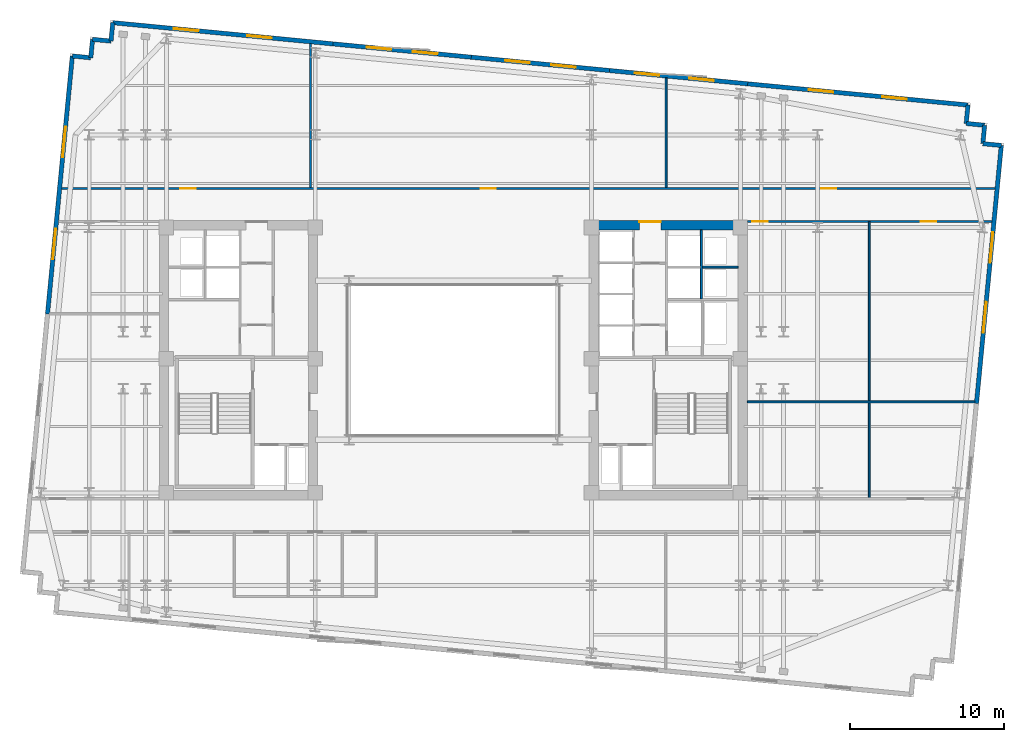
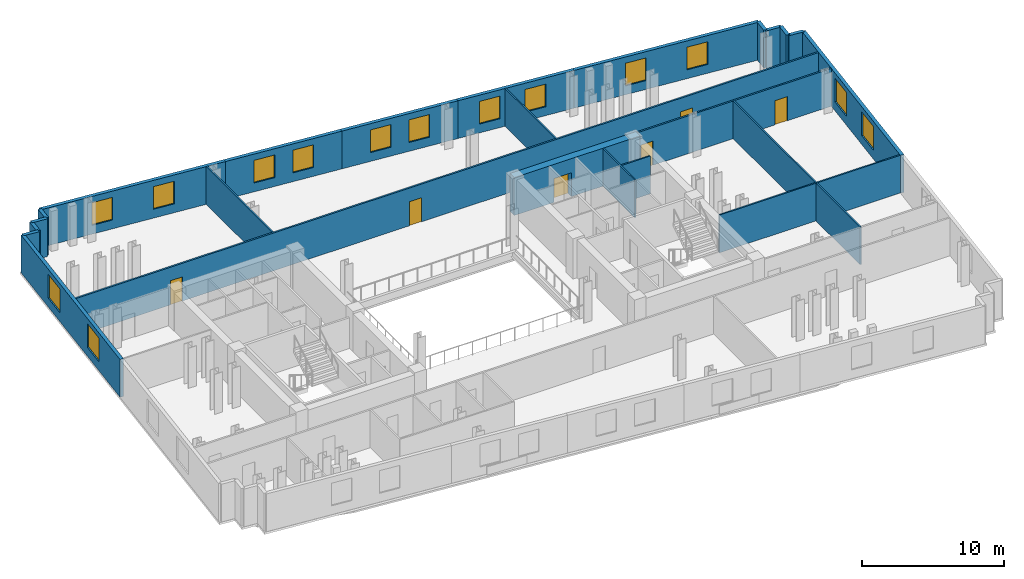
# One storey, part 6 of 9: 24 walls, 14 windows, 6 doors, 20 openings.
"""IFC4 building model written with IfcOpenShell, lengths in metres."""

from ifc_helpers import new_model, si_unit, direction, frame, frame_2d, origin, place, context, subcontext, project, spatial, rectangle, extrude, material, layer, layer_set, type_object, element, fill, save


model = new_model("IFC4")

# Units and contexts
model_context = context("Model", 3, precision=1e-05, world=origin(), true_north=direction((0.0, 1.0)))
body_context = subcontext(model_context, "Body", "Model", "MODEL_VIEW")
ifc_project = project(units=[si_unit("LENGTHUNIT", "METRE"), si_unit("AREAUNIT", "SQUARE_METRE"), si_unit("VOLUMEUNIT", "CUBIC_METRE"), si_unit("PLANEANGLEUNIT", "RADIAN"), si_unit("MASSUNIT", "GRAM", prefix="KILO")], contexts=[model_context])

# Site, building, storey
site_placement = place(None, origin())
site = spatial("IfcSite", under=ifc_project, at=site_placement, CompositionType="ELEMENT")
building_placement = place(site_placement, origin())
building = spatial("IfcBuilding", under=site, at=building_placement, Name="Velakula Bourse", CompositionType="ELEMENT")
storey_placement = place(building_placement, frame((0.0, 0.0, 167.300048828125)))
storey = spatial("IfcBuildingStorey", under=building, at=storey_placement, Name="L45", CompositionType="ELEMENT", Elevation=167.300048828125)

# Wall, opening, door
ifc_material_1 = material(Name="Concrete M70 (fck 70 MPa)", Category="concrete")
ifc_layer_1 = layer(ifc_material_1, 0.60009765625, Name="Concrete M70 (fck 70 MPa)", Category="concrete")
ifc_layer_set_1 = layer_set([ifc_layer_1], Name="Concrete M70 (fck 70 MPa)")
wall_type_1 = type_object("IfcWallType", Name="WL-CORE-600", PredefinedType="SHEAR", material=ifc_layer_set_1)
wall_1_placement = place(storey_placement, frame((8.800048828125, 8.75, 0.0), z_axis=(0.0, 0.0, 1.0), x_axis=(1.0, 0.0, 0.0)))
wall_1 = element("IfcWall", 1, at=wall_1_placement, inside=storey, type_object=wall_type_1, Name="L45 Core E Shear Wall N", PredefinedType="SHEAR", context=body_context, shape_type="SweptSolid", body=[
    extrude(rectangle(XDim=10.25, YDim=0.60009765625, at=frame_2d((5.125, 0.0))), origin(), (0.0, 0.0, 1.0), 3.27001953125),
])
opening_1_placement = place(wall_1_placement, frame((3.25, 0.0, 0.0)))
opening_1 = element("IfcOpeningElement", 2, at=opening_1_placement, cuts=wall_1, Name="Opening D-LLE", PredefinedType="OPENING", context=body_context, shape_type="SweptSolid", body=[
    extrude(rectangle(XDim=1.39990234375, YDim=2.050048828125, at=frame_2d((0.699951171875, 1.02490234375))), frame((0.0, 0.31005859375, 0.0), z_axis=(0.0, -1.0, 0.0), x_axis=(1.0, 0.0, 0.0)), (0.0, 0.0, 1.0), 0.6201171875),
])
ifc_material_2 = material(Name="Fire-rated hardwood flush architectural door", Category="wood")
door_type_1 = type_object("IfcDoorType", Name="DR-DBL-FD60-1400", OperationType="DOUBLE_DOOR_SINGLE_SWING", PredefinedType="DOOR", material=ifc_material_2)
door_1_placement = place(opening_1_placement, origin())
door_1 = element("IfcDoor", 3, at=door_1_placement, inside=storey, type_object=door_type_1, Name="L45 Core E Lift Lobby Corridor Double Door", OperationType="DOUBLE_DOOR_SINGLE_SWING", OverallHeight=2.050048828125, OverallWidth=1.39990234375, PredefinedType="DOOR", context=body_context, shape_type="SweptSolid", body=[
    extrude(rectangle(XDim=1.39990234375, YDim=2.050048828125, at=frame_2d((0.699951171875, 1.02490234375))), frame((0.0, 0.2451171875, 0.0), z_axis=(0.0, -1.0, 0.0), x_axis=(1.0, 0.0, 0.0)), (0.0, 0.0, 1.0), 0.050048828125),
])
fill(opening_1, door_1)

# Wall, openings, windows
ifc_material_3 = material(Name="Red kilned clay facing brick masonry", Category="masonry")
ifc_layer_2 = layer(ifc_material_3, 0.280029296875, Name="Red kilned clay facing brick masonry", Category="masonry")
ifc_layer_set_2 = layer_set([ifc_layer_2], Name="Red kilned clay facing brick masonry")
wall_type_2 = type_object("IfcWallType", Name="WL-EXT-BRK-280", PredefinedType="STANDARD", material=ifc_layer_set_2)
wall_2_placement = place(storey_placement, frame((-22.072509765625, 21.8701171875, 0.0), z_axis=(0.0, 0.0, 1.0), x_axis=(0.995395606285, -0.095851901334, 0.0)))
wall_2 = element("IfcWall", 4, at=wall_2_placement, inside=storey, type_object=wall_type_2, Name="L45 N Brick Spandrel Wall B1", PredefinedType="STANDARD", context=body_context, shape_type="SweptSolid", body=[
    extrude(rectangle(XDim=14.33984375, YDim=0.280029296875, at=frame_2d((7.169921875, 0.0))), origin(), (0.0, 0.0, 1.0), 3.25),
])
opening_2_placement = place(wall_2_placement, frame((3.97998046875, 0.0, 0.760009765625)))
opening_2 = element("IfcOpeningElement", 5, at=opening_2_placement, cuts=wall_2, Name="Opening W-02", PredefinedType="OPENING", context=body_context, shape_type="SweptSolid", body=[
    extrude(rectangle(XDim=1.60009765625, YDim=1.949951171875, at=frame_2d((0.800048828125, 0.97509765625))), frame((0.0, 0.14990234375, 0.0), z_axis=(0.0, -1.0, 0.0), x_axis=(1.0, 0.0, 0.0)), (0.0, 0.0, 1.0), 0.300048828125),
])
opening_3_placement = place(wall_2_placement, frame((8.760009765625, 0.0, 0.760009765625)))
opening_3 = element("IfcOpeningElement", 6, at=opening_3_placement, cuts=wall_2, Name="Opening W-02", PredefinedType="OPENING", context=body_context, shape_type="SweptSolid", body=[
    extrude(rectangle(XDim=1.60009765625, YDim=1.949951171875, at=frame_2d((0.800048828125, 0.97509765625))), frame((0.0, 0.14990234375, 0.0), z_axis=(0.0, -1.0, 0.0), x_axis=(1.0, 0.0, 0.0)), (0.0, 0.0, 1.0), 0.300048828125),
])
ifc_material_4 = material(Name="Double-glazed solar-control Low-E glass", Category="glass")
window_type_1 = type_object("IfcWindowType", Name="WIN-TWR-1600x2100", PartitioningType="SINGLE_PANEL", PredefinedType="WINDOW", material=ifc_material_4)
window_1_placement = place(opening_2_placement, origin())
window_1 = element("IfcWindow", 7, at=window_1_placement, inside=storey, type_object=window_type_1, Name="L45 Deep-Set Recessed Window 1", OverallHeight=1.949951171875, OverallWidth=1.60009765625, PartitioningType="SINGLE_PANEL", PredefinedType="WINDOW", context=body_context, shape_type="SweptSolid", body=[
    extrude(rectangle(XDim=1.60009765625, YDim=1.949951171875, at=frame_2d((0.800048828125, 0.97509765625))), frame((0.0, 0.030029296875, 0.0), z_axis=(0.0, -1.0, 0.0), x_axis=(1.0, 0.0, 0.0)), (0.0, 0.0, 1.0), 0.06005859375),
])
fill(opening_2, window_1)
window_2_placement = place(opening_3_placement, origin())
window_2 = element("IfcWindow", 8, at=window_2_placement, inside=storey, type_object=window_type_1, Name="L45 Deep-Set Recessed Window 2", OverallHeight=1.949951171875, OverallWidth=1.60009765625, PartitioningType="SINGLE_PANEL", PredefinedType="WINDOW", context=body_context, shape_type="SweptSolid", body=[
    extrude(rectangle(XDim=1.60009765625, YDim=1.949951171875, at=frame_2d((0.800048828125, 0.97509765625))), frame((0.0, 0.030029296875, 0.0), z_axis=(0.0, -1.0, 0.0), x_axis=(1.0, 0.0, 0.0)), (0.0, 0.0, 1.0), 0.06005859375),
])
fill(opening_3, window_2)

wall_3_placement = place(storey_placement, frame((-7.798583984375, 20.49560546875, 0.0), z_axis=(0.0, 0.0, 1.0), x_axis=(0.995396794462, -0.09583956164, 0.0)))
wall_3 = element("IfcWall", 9, at=wall_3_placement, inside=storey, type_object=wall_type_2, Name="L45 N Brick Spandrel Wall B2", PredefinedType="STANDARD", context=body_context, shape_type="SweptSolid", body=[
    extrude(rectangle(XDim=9.0, YDim=0.280029296875, at=frame_2d((4.5, 0.0))), origin(), (0.0, 0.0, 1.0), 3.25),
])
opening_4_placement = place(wall_3_placement, frame((2.199951171875, 0.0, 0.760009765625)))
opening_4 = element("IfcOpeningElement", 10, at=opening_4_placement, cuts=wall_3, Name="Opening W-02", PredefinedType="OPENING", context=body_context, shape_type="SweptSolid", body=[
    extrude(rectangle(XDim=1.60009765625, YDim=1.949951171875, at=frame_2d((0.800048828125, 0.97509765625))), frame((0.0, 0.14990234375, 0.0), z_axis=(0.0, -1.0, 0.0), x_axis=(1.0, 0.0, 0.0)), (0.0, 0.0, 1.0), 0.300048828125),
])
opening_5_placement = place(wall_3_placement, frame((5.199951171875, 0.0, 0.760009765625)))
opening_5 = element("IfcOpeningElement", 11, at=opening_5_placement, cuts=wall_3, Name="Opening W-02", PredefinedType="OPENING", context=body_context, shape_type="SweptSolid", body=[
    extrude(rectangle(XDim=1.60009765625, YDim=1.949951171875, at=frame_2d((0.800048828125, 0.97509765625))), frame((0.0, 0.14990234375, 0.0), z_axis=(0.0, -1.0, 0.0), x_axis=(1.0, 0.0, 0.0)), (0.0, 0.0, 1.0), 0.300048828125),
])
window_3_placement = place(opening_4_placement, origin())
window_3 = element("IfcWindow", 12, at=window_3_placement, inside=storey, type_object=window_type_1, Name="L45 Deep-Set Recessed Window 1", OverallHeight=1.949951171875, OverallWidth=1.60009765625, PartitioningType="SINGLE_PANEL", PredefinedType="WINDOW", context=body_context, shape_type="SweptSolid", body=[
    extrude(rectangle(XDim=1.60009765625, YDim=1.949951171875, at=frame_2d((0.800048828125, 0.97509765625))), frame((0.0, 0.030029296875, 0.0), z_axis=(0.0, -1.0, 0.0), x_axis=(1.0, 0.0, 0.0)), (0.0, 0.0, 1.0), 0.06005859375),
])
fill(opening_4, window_3)
window_4_placement = place(opening_5_placement, origin())
window_4 = element("IfcWindow", 13, at=window_4_placement, inside=storey, type_object=window_type_1, Name="L45 Deep-Set Recessed Window 2", OverallHeight=1.949951171875, OverallWidth=1.60009765625, PartitioningType="SINGLE_PANEL", PredefinedType="WINDOW", context=body_context, shape_type="SweptSolid", body=[
    extrude(rectangle(XDim=1.60009765625, YDim=1.949951171875, at=frame_2d((0.800048828125, 0.97509765625))), frame((0.0, 0.030029296875, 0.0), z_axis=(0.0, -1.0, 0.0), x_axis=(1.0, 0.0, 0.0)), (0.0, 0.0, 1.0), 0.06005859375),
])
fill(opening_5, window_4)

wall_4_placement = place(storey_placement, frame((1.159912109375, 19.633056640625, 0.0), z_axis=(0.0, 0.0, 1.0), x_axis=(0.995394455533, -0.09586385082, 0.0)))
wall_4 = element("IfcWall", 14, at=wall_4_placement, inside=storey, type_object=wall_type_2, Name="L45 N Brick Spandrel Wall B3", PredefinedType="STANDARD", context=body_context, shape_type="SweptSolid", body=[
    extrude(rectangle(XDim=9.000244140625, YDim=0.280029296875, at=frame_2d((4.5, 0.0))), origin(), (0.0, 0.0, 1.0), 3.25),
])
opening_6_placement = place(wall_4_placement, frame((2.199951171875, 0.0, 0.760009765625)))
opening_6 = element("IfcOpeningElement", 15, at=opening_6_placement, cuts=wall_4, Name="Opening W-02", PredefinedType="OPENING", context=body_context, shape_type="SweptSolid", body=[
    extrude(rectangle(XDim=1.60009765625, YDim=1.949951171875, at=frame_2d((0.800048828125, 0.97509765625))), frame((0.0, 0.14990234375, 0.0), z_axis=(0.0, -1.0, 0.0), x_axis=(1.0, 0.0, 0.0)), (0.0, 0.0, 1.0), 0.300048828125),
])
opening_7_placement = place(wall_4_placement, frame((5.199951171875, 0.0, 0.760009765625)))
opening_7 = element("IfcOpeningElement", 16, at=opening_7_placement, cuts=wall_4, Name="Opening W-02", PredefinedType="OPENING", context=body_context, shape_type="SweptSolid", body=[
    extrude(rectangle(XDim=1.60009765625, YDim=1.949951171875, at=frame_2d((0.800048828125, 0.97509765625))), frame((0.0, 0.14990234375, 0.0), z_axis=(0.0, -1.0, 0.0), x_axis=(1.0, 0.0, 0.0)), (0.0, 0.0, 1.0), 0.300048828125),
])
window_5_placement = place(opening_6_placement, origin())
window_5 = element("IfcWindow", 17, at=window_5_placement, inside=storey, type_object=window_type_1, Name="L45 Deep-Set Recessed Window 1", OverallHeight=1.949951171875, OverallWidth=1.60009765625, PartitioningType="SINGLE_PANEL", PredefinedType="WINDOW", context=body_context, shape_type="SweptSolid", body=[
    extrude(rectangle(XDim=1.60009765625, YDim=1.949951171875, at=frame_2d((0.800048828125, 0.97509765625))), frame((0.0, 0.030029296875, 0.0), z_axis=(0.0, -1.0, 0.0), x_axis=(1.0, 0.0, 0.0)), (0.0, 0.0, 1.0), 0.06005859375),
])
fill(opening_6, window_5)
window_6_placement = place(opening_7_placement, origin())
window_6 = element("IfcWindow", 18, at=window_6_placement, inside=storey, type_object=window_type_1, Name="L45 Deep-Set Recessed Window 2", OverallHeight=1.949951171875, OverallWidth=1.60009765625, PartitioningType="SINGLE_PANEL", PredefinedType="WINDOW", context=body_context, shape_type="SweptSolid", body=[
    extrude(rectangle(XDim=1.60009765625, YDim=1.949951171875, at=frame_2d((0.800048828125, 0.97509765625))), frame((0.0, 0.030029296875, 0.0), z_axis=(0.0, -1.0, 0.0), x_axis=(1.0, 0.0, 0.0)), (0.0, 0.0, 1.0), 0.06005859375),
])
fill(opening_7, window_6)

wall_5_placement = place(storey_placement, frame((10.11865234375, 18.770263671875, 0.0), z_axis=(0.0, 0.0, 1.0), x_axis=(0.995396794462, -0.09583956164, 0.0)))
wall_5 = element("IfcWall", 19, at=wall_5_placement, inside=storey, type_object=wall_type_2, Name="L45 N Brick Spandrel Wall B4", PredefinedType="STANDARD", context=body_context, shape_type="SweptSolid", body=[
    extrude(rectangle(XDim=9.0, YDim=0.280029296875, at=frame_2d((4.5, 0.0))), origin(), (0.0, 0.0, 1.0), 3.25),
])
opening_8_placement = place(wall_5_placement, frame((1.64990234375, 0.0, 0.760009765625)))
opening_8 = element("IfcOpeningElement", 20, at=opening_8_placement, cuts=wall_5, Name="Opening W-02", PredefinedType="OPENING", context=body_context, shape_type="SweptSolid", body=[
    extrude(rectangle(XDim=1.60009765625, YDim=1.949951171875, at=frame_2d((0.800048828125, 0.97509765625))), frame((0.0, 0.14990234375, 0.0), z_axis=(0.0, -1.0, 0.0), x_axis=(1.0, 0.0, 0.0)), (0.0, 0.0, 1.0), 0.300048828125),
])
opening_9_placement = place(wall_5_placement, frame((5.199951171875, 0.0, 0.760009765625)))
opening_9 = element("IfcOpeningElement", 21, at=opening_9_placement, cuts=wall_5, Name="Opening W-02", PredefinedType="OPENING", context=body_context, shape_type="SweptSolid", body=[
    extrude(rectangle(XDim=1.60009765625, YDim=1.949951171875, at=frame_2d((0.800048828125, 0.97509765625))), frame((0.0, 0.14990234375, 0.0), z_axis=(0.0, -1.0, 0.0), x_axis=(1.0, 0.0, 0.0)), (0.0, 0.0, 1.0), 0.300048828125),
])
window_7_placement = place(opening_8_placement, origin())
window_7 = element("IfcWindow", 22, at=window_7_placement, inside=storey, type_object=window_type_1, Name="L45 Deep-Set Recessed Window 1", OverallHeight=1.949951171875, OverallWidth=1.60009765625, PartitioningType="SINGLE_PANEL", PredefinedType="WINDOW", context=body_context, shape_type="SweptSolid", body=[
    extrude(rectangle(XDim=1.60009765625, YDim=1.949951171875, at=frame_2d((0.800048828125, 0.97509765625))), frame((0.0, 0.030029296875, 0.0), z_axis=(0.0, -1.0, 0.0), x_axis=(1.0, 0.0, 0.0)), (0.0, 0.0, 1.0), 0.06005859375),
])
fill(opening_8, window_7)
window_8_placement = place(opening_9_placement, origin())
window_8 = element("IfcWindow", 23, at=window_8_placement, inside=storey, type_object=window_type_1, Name="L45 Deep-Set Recessed Window 2", OverallHeight=1.949951171875, OverallWidth=1.60009765625, PartitioningType="SINGLE_PANEL", PredefinedType="WINDOW", context=body_context, shape_type="SweptSolid", body=[
    extrude(rectangle(XDim=1.60009765625, YDim=1.949951171875, at=frame_2d((0.800048828125, 0.97509765625))), frame((0.0, 0.030029296875, 0.0), z_axis=(0.0, -1.0, 0.0), x_axis=(1.0, 0.0, 0.0)), (0.0, 0.0, 1.0), 0.06005859375),
])
fill(opening_9, window_8)

wall_6_placement = place(storey_placement, frame((19.0771484375, 17.90771484375, 0.0), z_axis=(0.0, 0.0, 1.0), x_axis=(0.995395606285, -0.095851901334, 0.0)))
wall_6 = element("IfcWall", 24, at=wall_6_placement, inside=storey, type_object=wall_type_2, Name="L45 N Brick Spandrel Wall B5", PredefinedType="STANDARD", context=body_context, shape_type="SweptSolid", body=[
    extrude(rectangle(XDim=14.33984375, YDim=0.280029296875, at=frame_2d((7.169921875, 0.0))), origin(), (0.0, 0.0, 1.0), 3.25),
])
opening_10_placement = place(wall_6_placement, frame((3.97998046875, 0.0, 0.760009765625)))
opening_10 = element("IfcOpeningElement", 25, at=opening_10_placement, cuts=wall_6, Name="Opening W-02", PredefinedType="OPENING", context=body_context, shape_type="SweptSolid", body=[
    extrude(rectangle(XDim=1.60009765625, YDim=1.949951171875, at=frame_2d((0.800048828125, 0.97509765625))), frame((0.0, 0.14990234375, 0.0), z_axis=(0.0, -1.0, 0.0), x_axis=(1.0, 0.0, 0.0)), (0.0, 0.0, 1.0), 0.300048828125),
])
opening_11_placement = place(wall_6_placement, frame((8.760009765625, 0.0, 0.760009765625)))
opening_11 = element("IfcOpeningElement", 26, at=opening_11_placement, cuts=wall_6, Name="Opening W-02", PredefinedType="OPENING", context=body_context, shape_type="SweptSolid", body=[
    extrude(rectangle(XDim=1.60009765625, YDim=1.949951171875, at=frame_2d((0.800048828125, 0.97509765625))), frame((0.0, 0.14990234375, 0.0), z_axis=(0.0, -1.0, 0.0), x_axis=(1.0, 0.0, 0.0)), (0.0, 0.0, 1.0), 0.300048828125),
])
window_9_placement = place(opening_10_placement, origin())
window_9 = element("IfcWindow", 27, at=window_9_placement, inside=storey, type_object=window_type_1, Name="L45 Deep-Set Recessed Window 1", OverallHeight=1.949951171875, OverallWidth=1.60009765625, PartitioningType="SINGLE_PANEL", PredefinedType="WINDOW", context=body_context, shape_type="SweptSolid", body=[
    extrude(rectangle(XDim=1.60009765625, YDim=1.949951171875, at=frame_2d((0.800048828125, 0.97509765625))), frame((0.0, 0.030029296875, 0.0), z_axis=(0.0, -1.0, 0.0), x_axis=(1.0, 0.0, 0.0)), (0.0, 0.0, 1.0), 0.06005859375),
])
fill(opening_10, window_9)
window_10_placement = place(opening_11_placement, origin())
window_10 = element("IfcWindow", 28, at=window_10_placement, inside=storey, type_object=window_type_1, Name="L45 Deep-Set Recessed Window 2", OverallHeight=1.949951171875, OverallWidth=1.60009765625, PartitioningType="SINGLE_PANEL", PredefinedType="WINDOW", context=body_context, shape_type="SweptSolid", body=[
    extrude(rectangle(XDim=1.60009765625, YDim=1.949951171875, at=frame_2d((0.800048828125, 0.97509765625))), frame((0.0, 0.030029296875, 0.0), z_axis=(0.0, -1.0, 0.0), x_axis=(1.0, 0.0, 0.0)), (0.0, 0.0, 1.0), 0.06005859375),
])
fill(opening_11, window_10)

wall_7_placement = place(storey_placement, frame((-26.30078125, 2.998291015625, 0.0), z_axis=(0.0, 0.0, 1.0), x_axis=(0.095837640115, 0.99539697947, 0.0)))
wall_7 = element("IfcWall", 29, at=wall_7_placement, inside=storey, type_object=wall_type_2, Name="L45 W Brick End Wall W2", PredefinedType="STANDARD", context=body_context, shape_type="SweptSolid", body=[
    extrude(rectangle(XDim=16.790283203125, YDim=0.280029296875, at=frame_2d((8.39501953125, 0.0))), origin(), (0.0, 0.0, 1.0), 3.25),
])
opening_12_placement = place(wall_7_placement, frame((3.546630859375, 0.0, 0.760009765625)))
opening_12 = element("IfcOpeningElement", 30, at=opening_12_placement, cuts=wall_7, Name="Opening W-05", PredefinedType="OPENING", context=body_context, shape_type="SweptSolid", body=[
    extrude(rectangle(XDim=2.0, YDim=2.050048828125, at=frame_2d((1.0, 1.02490234375))), frame((0.0, 0.14990234375, 0.0), z_axis=(0.0, -1.0, 0.0), x_axis=(1.0, 0.0, 0.0)), (0.0, 0.0, 1.0), 0.300048828125),
])
opening_13_placement = place(wall_7_placement, frame((10.193359375, 0.0, 0.760009765625)))
opening_13 = element("IfcOpeningElement", 31, at=opening_13_placement, cuts=wall_7, Name="Opening W-05", PredefinedType="OPENING", context=body_context, shape_type="SweptSolid", body=[
    extrude(rectangle(XDim=2.0, YDim=2.050048828125, at=frame_2d((1.0, 1.02490234375))), frame((0.0, 0.14990234375, 0.0), z_axis=(0.0, -1.0, 0.0), x_axis=(1.0, 0.0, 0.0)), (0.0, 0.0, 1.0), 0.300048828125),
])
window_type_2 = type_object("IfcWindowType", Name="WIN-TWR-2000x2200", PartitioningType="DOUBLE_PANEL_VERTICAL", PredefinedType="WINDOW", material=ifc_material_4)
window_11_placement = place(opening_12_placement, origin())
window_11 = element("IfcWindow", 32, at=window_11_placement, inside=storey, type_object=window_type_2, Name="L45 Deep-Set Recessed Window 1", OverallHeight=2.050048828125, OverallWidth=2.0, PartitioningType="DOUBLE_PANEL_VERTICAL", PredefinedType="WINDOW", context=body_context, shape_type="SweptSolid", body=[
    extrude(rectangle(XDim=2.0, YDim=2.050048828125, at=frame_2d((1.0, 1.02490234375))), frame((0.0, 0.030029296875, 0.0), z_axis=(0.0, -1.0, 0.0), x_axis=(1.0, 0.0, 0.0)), (0.0, 0.0, 1.0), 0.06005859375),
])
fill(opening_12, window_11)
window_12_placement = place(opening_13_placement, origin())
window_12 = element("IfcWindow", 33, at=window_12_placement, inside=storey, type_object=window_type_2, Name="L45 Deep-Set Recessed Window 2", OverallHeight=2.050048828125, OverallWidth=2.0, PartitioningType="DOUBLE_PANEL_VERTICAL", PredefinedType="WINDOW", context=body_context, shape_type="SweptSolid", body=[
    extrude(rectangle(XDim=2.0, YDim=2.050048828125, at=frame_2d((1.0, 1.02490234375))), frame((0.0, 0.030029296875, 0.0), z_axis=(0.0, -1.0, 0.0), x_axis=(1.0, 0.0, 0.0)), (0.0, 0.0, 1.0), 0.06005859375),
])
fill(opening_13, window_12)

wall_8_placement = place(storey_placement, frame((35.510009765625, 13.914306640625, 0.0), z_axis=(0.0, 0.0, 1.0), x_axis=(-0.095839027265, -0.995396845913, 0.0)))
wall_8 = element("IfcWall", 34, at=wall_8_placement, inside=storey, type_object=wall_type_2, Name="L45 E Brick End Wall W2", PredefinedType="STANDARD", context=body_context, shape_type="SweptSolid", body=[
    extrude(rectangle(XDim=16.7900390625, YDim=0.280029296875, at=frame_2d((8.39501953125, 0.0))), origin(), (0.0, 0.0, 1.0), 3.25),
])
opening_14_placement = place(wall_8_placement, frame((5.646728515625, 0.0, 0.760009765625)))
opening_14 = element("IfcOpeningElement", 35, at=opening_14_placement, cuts=wall_8, Name="Opening W-05", PredefinedType="OPENING", context=body_context, shape_type="SweptSolid", body=[
    extrude(rectangle(XDim=2.0, YDim=2.050048828125, at=frame_2d((1.0, 1.02490234375))), frame((0.0, 0.14990234375, 0.0), z_axis=(0.0, -1.0, 0.0), x_axis=(1.0, 0.0, 0.0)), (0.0, 0.0, 1.0), 0.300048828125),
])
opening_15_placement = place(wall_8_placement, frame((10.193359375, 0.0, 0.760009765625)))
opening_15 = element("IfcOpeningElement", 36, at=opening_15_placement, cuts=wall_8, Name="Opening W-05", PredefinedType="OPENING", context=body_context, shape_type="SweptSolid", body=[
    extrude(rectangle(XDim=2.0, YDim=2.050048828125, at=frame_2d((1.0, 1.02490234375))), frame((0.0, 0.14990234375, 0.0), z_axis=(0.0, -1.0, 0.0), x_axis=(1.0, 0.0, 0.0)), (0.0, 0.0, 1.0), 0.300048828125),
])
window_13_placement = place(opening_14_placement, origin())
window_13 = element("IfcWindow", 37, at=window_13_placement, inside=storey, type_object=window_type_2, Name="L45 Deep-Set Recessed Window 1", OverallHeight=2.050048828125, OverallWidth=2.0, PartitioningType="DOUBLE_PANEL_VERTICAL", PredefinedType="WINDOW", context=body_context, shape_type="SweptSolid", body=[
    extrude(rectangle(XDim=2.0, YDim=2.050048828125, at=frame_2d((1.0, 1.02490234375))), frame((0.0, 0.030029296875, 0.0), z_axis=(0.0, -1.0, 0.0), x_axis=(1.0, 0.0, 0.0)), (0.0, 0.0, 1.0), 0.06005859375),
])
fill(opening_14, window_13)
window_14_placement = place(opening_15_placement, origin())
window_14 = element("IfcWindow", 38, at=window_14_placement, inside=storey, type_object=window_type_2, Name="L45 Deep-Set Recessed Window 2", OverallHeight=2.050048828125, OverallWidth=2.0, PartitioningType="DOUBLE_PANEL_VERTICAL", PredefinedType="WINDOW", context=body_context, shape_type="SweptSolid", body=[
    extrude(rectangle(XDim=2.0, YDim=2.050048828125, at=frame_2d((1.0, 1.02490234375))), frame((0.0, 0.030029296875, 0.0), z_axis=(0.0, -1.0, 0.0), x_axis=(1.0, 0.0, 0.0)), (0.0, 0.0, 1.0), 0.06005859375),
])
fill(opening_15, window_14)

# Walls
wall_9_placement = place(storey_placement, frame((35.510009765625, 13.914306640625, 0.0), z_axis=(0.0, 0.0, 1.0), x_axis=(-0.995397091755, 0.095836473879, 0.0)))
element("IfcWall", 39, at=wall_9_placement, inside=storey, type_object=wall_type_2, Name="L45 Serrated Corner Brick Wall NE-1", PredefinedType="STANDARD", context=body_context, shape_type="SweptSolid", body=[
    extrude(rectangle(XDim=1.199951171875, YDim=0.280029296875, at=frame_2d((0.60009765625, 0.0))), origin(), (0.0, 0.0, 1.0), 3.25),
])
for number, where, z_axis, x_axis, name in (
    (40, (34.315673828125, 14.029296875, 0.0), (0.0, 0.0, 1.0), (0.095817067274, 0.995398960025, 0.0), "L45 Serrated Corner Brick Wall NE-2"),
    (41, (34.4306640625, 15.223876953125, 0.0), (0.0, 0.0, 1.0), (-0.995398960025, 0.095817067274, 0.0), "L45 Serrated Corner Brick Wall NE-3"),
):
    element("IfcWall", number, at=place(storey_placement, frame(where, z_axis=z_axis, x_axis=x_axis)), inside=storey, type_object=wall_type_2, Name=name, PredefinedType="STANDARD", context=body_context, shape_type="SweptSolid", body=[
        extrude(rectangle(XDim=1.2001953125, YDim=0.280029296875, at=frame_2d((0.60009765625, 0.0))), origin(), (0.0, 0.0, 1.0), 3.25),
    ])
wall_10_placement = place(storey_placement, frame((33.236083984375, 15.3388671875, 0.0), z_axis=(0.0, 0.0, 1.0), x_axis=(0.095836473879, 0.995397091755, 0.0)))
element("IfcWall", 42, at=wall_10_placement, inside=storey, type_object=wall_type_2, Name="L45 Serrated Corner Brick Wall NE-4", PredefinedType="STANDARD", context=body_context, shape_type="SweptSolid", body=[
    extrude(rectangle(XDim=1.199951171875, YDim=0.280029296875, at=frame_2d((0.60009765625, 0.0))), origin(), (0.0, 0.0, 1.0), 3.25),
])
for number, where, z_axis, x_axis, name in (
    (43, (-22.072509765625, 21.8701171875, 0.0), (0.0, 0.0, 1.0), (-0.095817067274, -0.995398960025, 0.0), "L45 Serrated Corner Brick Wall NW-1"),
    (44, (-22.1875, 20.675537109375, 0.0), (0.0, 0.0, 1.0), (-0.995398960025, 0.095817067274, 0.0), "L45 Serrated Corner Brick Wall NW-2"),
    (45, (-23.382080078125, 20.79052734375, 0.0), (0.0, 0.0, 1.0), (-0.095817067274, -0.995398960025, 0.0), "L45 Serrated Corner Brick Wall NW-3"),
    (46, (-23.4970703125, 19.595947265625, 0.0), (0.0, 0.0, 1.0), (-0.995379537303, 0.096018626938, 0.0), "L45 Serrated Corner Brick Wall NW-4"),
):
    element("IfcWall", number, at=place(storey_placement, frame(where, z_axis=z_axis, x_axis=x_axis)), inside=storey, type_object=wall_type_2, Name=name, PredefinedType="STANDARD", context=body_context, shape_type="SweptSolid", body=[
        extrude(rectangle(XDim=1.2001953125, YDim=0.280029296875, at=frame_2d((0.60009765625, 0.0))), origin(), (0.0, 0.0, 1.0), 3.25),
    ])
ifc_material_5 = material(Name="Fire-rated double-layer gypsum drywall partition", Category="gypsum")
ifc_layer_3 = layer(ifc_material_5, 0.1201171875, Name="Fire-rated double-layer gypsum drywall partition", Category="gypsum")
ifc_layer_set_3 = layer_set([ifc_layer_3], Name="Fire-rated double-layer gypsum drywall partition")
wall_type_3 = type_object("IfcWallType", Name="WL-PART-120", PredefinedType="STANDARD", material=ifc_layer_set_3)
wall_11_placement = place(storey_placement, frame((16.14990234375, 6.030029296875, 0.0), z_axis=(0.0, 0.0, 1.0), x_axis=(1.0, 0.0, 0.0)))
element("IfcWall", 47, at=wall_11_placement, inside=storey, type_object=wall_type_3, Name="L45 Interior Partition WL-CRE-L45-RIS-MID", PredefinedType="STANDARD", context=body_context, shape_type="SweptSolid", body=[
    extrude(rectangle(XDim=2.300048828125, YDim=0.1201171875, at=frame_2d((1.14990234375, 0.0))), origin(), (0.0, 0.0, 1.0), 3.25),
])
wall_12_placement = place(storey_placement, frame((16.074951171875, 3.97998046875, 0.0), z_axis=(0.0, 0.0, 1.0), x_axis=(0.0, 1.0, 0.0)))
element("IfcWall", 48, at=wall_12_placement, inside=storey, type_object=wall_type_3, Name="L45 Interior Partition WL-CRE-L45-RIS-F", PredefinedType="STANDARD", context=body_context, shape_type="SweptSolid", body=[
    extrude(rectangle(XDim=4.469970703125, YDim=0.1201171875, at=frame_2d((2.23486328125, 0.0))), origin(), (0.0, 0.0, 1.0), 3.25),
])
wall_13_placement = place(storey_placement, frame((-9.260009765625, 11.18994140625, 0.0), z_axis=(0.0, 0.0, 1.0), x_axis=(0.0, 1.0, 0.0)))
element("IfcWall", 49, at=wall_13_placement, inside=storey, type_object=wall_type_3, Name="L45 Interior Partition WL-INT-L45-N-D1", PredefinedType="STANDARD", context=body_context, shape_type="SweptSolid", body=[
    extrude(rectangle(XDim=9.32568359375, YDim=0.1201171875, at=frame_2d((4.662841796875, 0.0))), origin(), (0.0, 0.0, 1.0), 3.25),
])
wall_14_placement = place(storey_placement, frame((13.784912109375, 11.18994140625, 0.0), z_axis=(0.0, 0.0, 1.0), x_axis=(0.0, 1.0, 0.0)))
element("IfcWall", 50, at=wall_14_placement, inside=storey, type_object=wall_type_3, Name="L45 Interior Partition WL-INT-L45-N-D2", PredefinedType="STANDARD", context=body_context, shape_type="SweptSolid", body=[
    extrude(rectangle(XDim=7.10693359375, YDim=0.1201171875, at=frame_2d((3.553466796875, 0.0))), origin(), (0.0, 0.0, 1.0), 3.25),
])
wall_15_placement = place(storey_placement, frame((19.050048828125, -2.699951171875, 0.0), z_axis=(0.0, 0.0, 1.0), x_axis=(1.0, 0.0, 0.0)))
element("IfcWall", 51, at=wall_15_placement, inside=storey, type_object=wall_type_3, Name="L45 Interior Partition WL-INT-L45-E-H", PredefinedType="STANDARD", context=body_context, shape_type="SweptSolid", body=[
    extrude(rectangle(XDim=14.73974609375, YDim=0.1201171875, at=frame_2d((7.369873046875, 0.0))), origin(), (0.0, 0.0, 1.0), 3.25),
])
wall_16_placement = place(storey_placement, frame((26.951904296875, -8.97998046875, 0.0), z_axis=(0.0, 0.0, 1.0), x_axis=(0.0, 1.0, 0.0)))
element("IfcWall", 52, at=wall_16_placement, inside=storey, type_object=wall_type_3, Name="L45 Interior Partition WL-INT-L45-E-V1", PredefinedType="STANDARD", context=body_context, shape_type="SweptSolid", body=[
    extrude(rectangle(XDim=17.9599609375, YDim=0.1201171875, at=frame_2d((8.97998046875, 0.0))), origin(), (0.0, 0.0, 1.0), 3.25),
])

# Wall, openings, doors
ifc_layer_4 = layer(ifc_material_5, 0.139892578125, Name="Fire-rated double-layer gypsum drywall partition", Category="gypsum")
ifc_layer_set_4 = layer_set([ifc_layer_4], Name="Fire-rated double-layer gypsum drywall partition")
wall_type_4 = type_object("IfcWallType", Name="WL-PART-140", PredefinedType="STANDARD", material=ifc_layer_set_4)
wall_17_placement = place(storey_placement, frame((-25.398193359375, 11.1201171875, 0.0), z_axis=(0.0, 0.0, 1.0), x_axis=(1.0, 0.0, 0.0)))
wall_17 = element("IfcWall", 53, at=wall_17_placement, inside=storey, type_object=wall_type_4, Name="L45 Interior Partition WL-INT-L45-N-CORR", PredefinedType="STANDARD", context=body_context, shape_type="SweptSolid", body=[
    extrude(rectangle(XDim=60.5185546875, YDim=0.139892578125, at=frame_2d((30.25927734375, 0.0))), origin(), (0.0, 0.0, 1.0), 3.25),
])
opening_16_placement = place(wall_17_placement, frame((7.695068359375, 0.0, 0.0)))
opening_16 = element("IfcOpeningElement", 54, at=opening_16_placement, cuts=wall_17, Name="Opening D-OF1", PredefinedType="OPENING", context=body_context, shape_type="SweptSolid", body=[
    extrude(rectangle(XDim=1.0, YDim=2.080078125, at=frame_2d((0.5, 1.0400390625))), frame((0.0, 0.079833984375, 0.0), z_axis=(0.0, -1.0, 0.0), x_axis=(1.0, 0.0, 0.0)), (0.0, 0.0, 1.0), 0.159912109375),
])
opening_17_placement = place(wall_17_placement, frame((27.16064453125, 0.0, 0.0)))
opening_17 = element("IfcOpeningElement", 55, at=opening_17_placement, cuts=wall_17, Name="Opening D-OF1", PredefinedType="OPENING", context=body_context, shape_type="SweptSolid", body=[
    extrude(rectangle(XDim=1.0, YDim=2.080078125, at=frame_2d((0.5, 1.0400390625))), frame((0.0, 0.079833984375, 0.0), z_axis=(0.0, -1.0, 0.0), x_axis=(1.0, 0.0, 0.0)), (0.0, 0.0, 1.0), 0.159912109375),
])
opening_18_placement = place(wall_17_placement, frame((49.224853515625, 0.0, 0.0)))
opening_18 = element("IfcOpeningElement", 56, at=opening_18_placement, cuts=wall_17, Name="Opening D-OF1", PredefinedType="OPENING", context=body_context, shape_type="SweptSolid", body=[
    extrude(rectangle(XDim=1.0, YDim=2.080078125, at=frame_2d((0.5, 1.0400390625))), frame((0.0, 0.079833984375, 0.0), z_axis=(0.0, -1.0, 0.0), x_axis=(1.0, 0.0, 0.0)), (0.0, 0.0, 1.0), 0.159912109375),
])
door_type_2 = type_object("IfcDoorType", Name="DR-OFF-1000", OperationType="NOTDEFINED", PredefinedType="DOOR", material=ifc_material_2)
door_2_placement = place(opening_16_placement, origin())
door_2 = element("IfcDoor", 57, at=door_2_placement, inside=storey, type_object=door_type_2, Name="L45 Maritime Freight Exchange Workspace Door", OperationType="SINGLE_SWING_LEFT", OverallHeight=2.080078125, OverallWidth=1.0, PredefinedType="DOOR", context=body_context, shape_type="SweptSolid", body=[
    extrude(rectangle(XDim=1.0, YDim=2.080078125, at=frame_2d((0.5, 1.0400390625))), frame((0.0, 0.02490234375, 0.0), z_axis=(0.0, -1.0, 0.0), x_axis=(1.0, 0.0, 0.0)), (0.0, 0.0, 1.0), 0.050048828125),
])
fill(opening_16, door_2)
door_3_placement = place(opening_17_placement, origin())
door_3 = element("IfcDoor", 58, at=door_3_placement, inside=storey, type_object=door_type_2, Name="L45 Yield Curve Seminar Room Door", OperationType="SINGLE_SWING_RIGHT", OverallHeight=2.080078125, OverallWidth=1.0, PredefinedType="DOOR", context=body_context, shape_type="SweptSolid", body=[
    extrude(rectangle(XDim=1.0, YDim=2.080078125, at=frame_2d((0.5, 1.0400390625))), frame((0.0, 0.02490234375, 0.0), z_axis=(0.0, -1.0, 0.0), x_axis=(1.0, 0.0, 0.0)), (0.0, 0.0, 1.0), 0.050048828125),
])
fill(opening_17, door_3)
door_4_placement = place(opening_18_placement, origin())
door_4 = element("IfcDoor", 59, at=door_4_placement, inside=storey, type_object=door_type_2, Name="L45 Traders Pantry Door", OperationType="SINGLE_SWING_LEFT", OverallHeight=2.080078125, OverallWidth=1.0, PredefinedType="DOOR", context=body_context, shape_type="SweptSolid", body=[
    extrude(rectangle(XDim=1.0, YDim=2.080078125, at=frame_2d((0.5, 1.0400390625))), frame((0.0, 0.02490234375, 0.0), z_axis=(0.0, -1.0, 0.0), x_axis=(1.0, 0.0, 0.0)), (0.0, 0.0, 1.0), 0.050048828125),
])
fill(opening_18, door_4)

wall_18_placement = place(storey_placement, frame((19.050048828125, 8.97998046875, 0.0), z_axis=(0.0, 0.0, 1.0), x_axis=(1.0, 0.0, 0.0)))
wall_18 = element("IfcWall", 60, at=wall_18_placement, inside=storey, type_object=wall_type_4, Name="L45 Interior Partition WL-INT-L45-E-NC", PredefinedType="STANDARD", context=body_context, shape_type="SweptSolid", body=[
    extrude(rectangle(XDim=15.8642578125, YDim=0.139892578125, at=frame_2d((7.93212890625, 0.0))), origin(), (0.0, 0.0, 1.0), 3.25),
])
opening_19_placement = place(wall_18_placement, frame((0.320068359375, 0.0, 0.0)))
opening_19 = element("IfcOpeningElement", 61, at=opening_19_placement, cuts=wall_18, Name="Opening D-OF1", PredefinedType="OPENING", context=body_context, shape_type="SweptSolid", body=[
    extrude(rectangle(XDim=1.0, YDim=2.080078125, at=frame_2d((0.5, 1.0400390625))), frame((0.0, 0.079833984375, 0.0), z_axis=(0.0, -1.0, 0.0), x_axis=(1.0, 0.0, 0.0)), (0.0, 0.0, 1.0), 0.159912109375),
])
opening_20_placement = place(wall_18_placement, frame((11.253173828125, 0.0, 0.0)))
opening_20 = element("IfcOpeningElement", 62, at=opening_20_placement, cuts=wall_18, Name="Opening D-OF1", PredefinedType="OPENING", context=body_context, shape_type="SweptSolid", body=[
    extrude(rectangle(XDim=1.0, YDim=2.080078125, at=frame_2d((0.5, 1.0400390625))), frame((0.0, 0.079833984375, 0.0), z_axis=(0.0, -1.0, 0.0), x_axis=(1.0, 0.0, 0.0)), (0.0, 0.0, 1.0), 0.159912109375),
])
door_5_placement = place(opening_19_placement, origin())
door_5 = element("IfcDoor", 63, at=door_5_placement, inside=storey, type_object=door_type_2, Name="L45 General Counsel Office Door", OperationType="SINGLE_SWING_LEFT", OverallHeight=2.080078125, OverallWidth=1.0, PredefinedType="DOOR", context=body_context, shape_type="SweptSolid", body=[
    extrude(rectangle(XDim=1.0, YDim=2.080078125, at=frame_2d((0.5, 1.0400390625))), frame((0.0, 0.02490234375, 0.0), z_axis=(0.0, -1.0, 0.0), x_axis=(1.0, 0.0, 0.0)), (0.0, 0.0, 1.0), 0.050048828125),
])
fill(opening_19, door_5)
door_6_placement = place(opening_20_placement, origin())
door_6 = element("IfcDoor", 64, at=door_6_placement, inside=storey, type_object=door_type_2, Name="L45 Risk Review Boardroom Door", OperationType="SINGLE_SWING_RIGHT", OverallHeight=2.080078125, OverallWidth=1.0, PredefinedType="DOOR", context=body_context, shape_type="SweptSolid", body=[
    extrude(rectangle(XDim=1.0, YDim=2.080078125, at=frame_2d((0.5, 1.0400390625))), frame((0.0, 0.02490234375, 0.0), z_axis=(0.0, -1.0, 0.0), x_axis=(1.0, 0.0, 0.0)), (0.0, 0.0, 1.0), 0.050048828125),
])
fill(opening_20, door_6)

save(model, "model.ifc")
